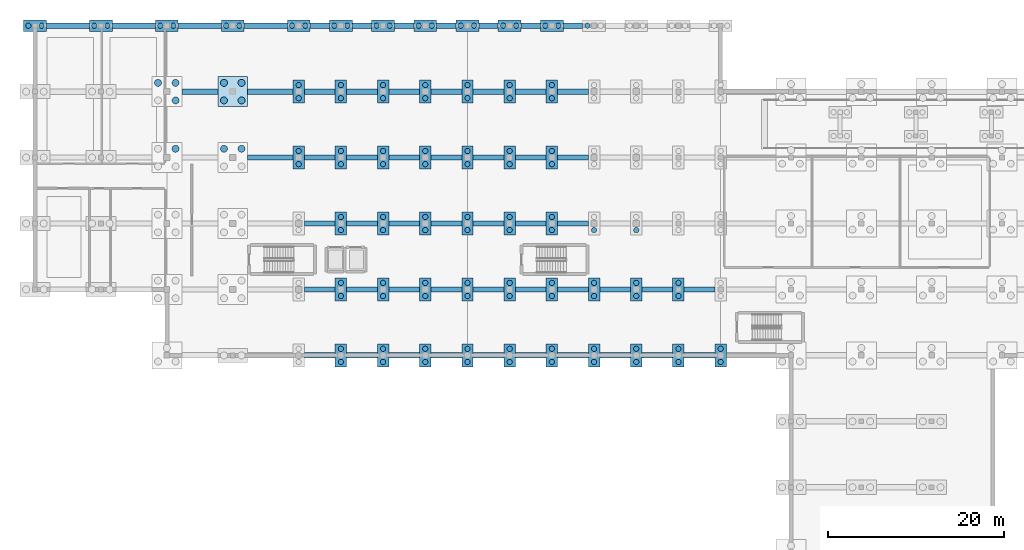
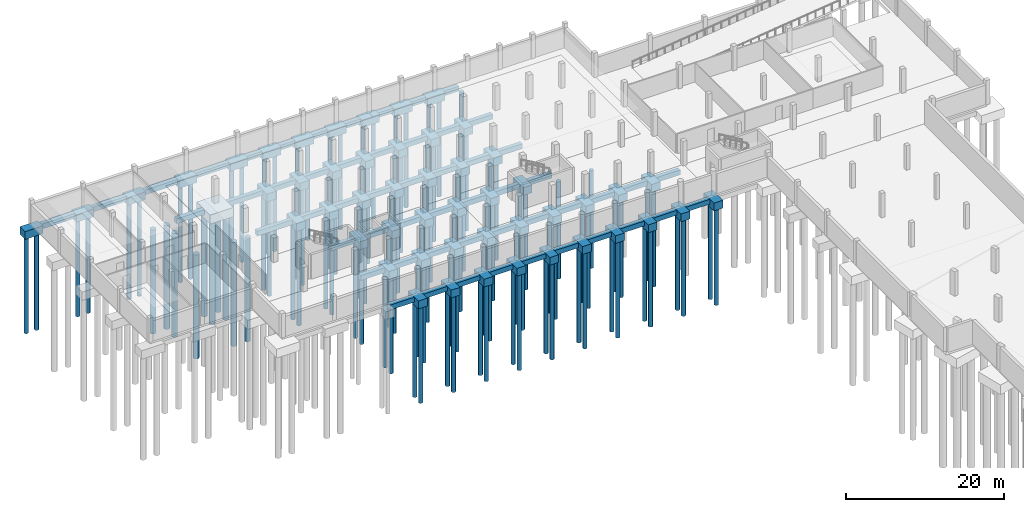
# One storey, part 2 of 17: 113 piles, 106 footings.
"""IFC4 building model written with IfcOpenShell, lengths in metres."""

from ifc_helpers import new_model, si_unit, direction, frame, origin, origin_2d, place, context, subcontext, project, spatial, rectangle, circle, extrude, material, material_profile, profile_set, type_object, element, save


model = new_model("IFC4")

# Units and contexts
model_context = context("Model", 3, precision=1e-05, world=origin(), true_north=direction((0.0, 1.0)))
body_context = subcontext(model_context, "Body", "Model", "MODEL_VIEW")
ifc_project = project(units=[si_unit("LENGTHUNIT", "METRE"), si_unit("AREAUNIT", "SQUARE_METRE"), si_unit("VOLUMEUNIT", "CUBIC_METRE"), si_unit("PLANEANGLEUNIT", "RADIAN"), si_unit("MASSUNIT", "GRAM", prefix="KILO")], contexts=[model_context])

# Site, building, storey
site_placement = place(None, origin())
site = spatial("IfcSite", under=ifc_project, at=site_placement, CompositionType="ELEMENT")
building_placement = place(site_placement, origin())
building = spatial("IfcBuilding", under=site, at=building_placement, Name="Mawjan Specialist Oncology Clinic", CompositionType="ELEMENT")
storey_placement = place(building_placement, frame((0.0, 0.0, -4.199951171875)))
storey = spatial("IfcBuildingStorey", under=building, at=storey_placement, Name="B01", CompositionType="ELEMENT", Elevation=-4.199951171875)

# Footings
ifc_material_1 = material(Name="Concrete C40/50", Category="concrete")
footing_type_1 = type_object("IfcFootingType", Name="PC-2A", PredefinedType="PILE_CAP", material=ifc_material_1)
for number, where, z_axis, x_axis, name in (
    (1, (30.0, 113.300048828125, -1.64990234375), (0.0, 0.0, 1.0), (1.0, 0.0, 0.0), "Pile Cap FTG-PC-058"),
    (2, (37.5, 113.300048828125, -1.64990234375), (0.0, 0.0, 1.0), (1.0, 0.0, 0.0), "Pile Cap FTG-PC-074"),
    (3, (45.0, 113.300048828125, -1.64990234375), (0.0, 0.0, 1.0), (1.0, 0.0, 0.0), "Pile Cap FTG-PC-090"),
    (4, (52.5, 113.300048828125, -1.64990234375), (0.0, 0.0, 1.0), (1.0, 0.0, 0.0), "Pile Cap FTG-PC-103"),
    (5, (60.0, 98.300048828125, -1.64990234375), (0.0, 0.0, 1.0), (0.0, 1.0, 0.0), "Pile Cap FTG-PC-116"),
    (6, (60.0, 105.800048828125, -1.64990234375), (0.0, 0.0, 1.0), (0.0, 1.0, 0.0), "Pile Cap FTG-PC-117"),
    (7, (60.0, 113.300048828125, -1.64990234375), (0.0, 0.0, 1.0), (1.0, 0.0, 0.0), "Pile Cap FTG-PC-118"),
    (8, (64.800048828125, 75.800048828125, -1.64990234375), (0.0, 0.0, 1.0), (0.0, 1.0, 0.0), "Pile Cap FTG-PC-123"),
    (9, (64.800048828125, 83.300048828125, -1.64990234375), (0.0, 0.0, 1.0), (0.0, 1.0, 0.0), "Pile Cap FTG-PC-124"),
    (10, (64.800048828125, 90.800048828125, -1.64990234375), (0.0, 0.0, 1.0), (0.0, 1.0, 0.0), "Pile Cap FTG-PC-125"),
    (11, (64.800048828125, 98.300048828125, -1.64990234375), (0.0, 0.0, 1.0), (0.0, 1.0, 0.0), "Pile Cap FTG-PC-126"),
    (12, (64.800048828125, 105.800048828125, -1.64990234375), (0.0, 0.0, 1.0), (0.0, 1.0, 0.0), "Pile Cap FTG-PC-127"),
    (13, (64.800048828125, 113.300048828125, -1.64990234375), (0.0, 0.0, 1.0), (1.0, 0.0, 0.0), "Pile Cap FTG-PC-128"),
    (14, (69.60009765625, 75.800048828125, -1.64990234375), (0.0, 0.0, 1.0), (0.0, 1.0, 0.0), "Pile Cap FTG-PC-133"),
    (15, (69.60009765625, 83.300048828125, -1.64990234375), (0.0, 0.0, 1.0), (0.0, 1.0, 0.0), "Pile Cap FTG-PC-134"),
    (16, (69.60009765625, 90.800048828125, -1.64990234375), (0.0, 0.0, 1.0), (0.0, 1.0, 0.0), "Pile Cap FTG-PC-135"),
    (17, (69.60009765625, 98.300048828125, -1.64990234375), (0.0, 0.0, 1.0), (0.0, 1.0, 0.0), "Pile Cap FTG-PC-136"),
    (18, (69.60009765625, 105.800048828125, -1.64990234375), (0.0, 0.0, 1.0), (0.0, 1.0, 0.0), "Pile Cap FTG-PC-137"),
    (19, (69.60009765625, 113.300048828125, -1.64990234375), (0.0, 0.0, 1.0), (1.0, 0.0, 0.0), "Pile Cap FTG-PC-138"),
    (20, (74.39990234375, 75.800048828125, -1.64990234375), (0.0, 0.0, 1.0), (0.0, 1.0, 0.0), "Pile Cap FTG-PC-142"),
    (21, (74.39990234375, 83.300048828125, -1.64990234375), (0.0, 0.0, 1.0), (0.0, 1.0, 0.0), "Pile Cap FTG-PC-143"),
    (22, (74.39990234375, 90.800048828125, -1.64990234375), (0.0, 0.0, 1.0), (0.0, 1.0, 0.0), "Pile Cap FTG-PC-144"),
    (23, (74.39990234375, 98.300048828125, -1.64990234375), (0.0, 0.0, 1.0), (0.0, 1.0, 0.0), "Pile Cap FTG-PC-145"),
    (24, (74.39990234375, 105.800048828125, -1.64990234375), (0.0, 0.0, 1.0), (0.0, 1.0, 0.0), "Pile Cap FTG-PC-146"),
    (25, (74.39990234375, 113.300048828125, -1.64990234375), (0.0, 0.0, 1.0), (1.0, 0.0, 0.0), "Pile Cap FTG-PC-147"),
    (26, (79.199951171875, 75.800048828125, -1.64990234375), (0.0, 0.0, 1.0), (0.0, 1.0, 0.0), "Pile Cap FTG-PC-151"),
    (27, (79.199951171875, 83.300048828125, -1.64990234375), (0.0, 0.0, 1.0), (0.0, 1.0, 0.0), "Pile Cap FTG-PC-152"),
    (28, (79.199951171875, 90.800048828125, -1.64990234375), (0.0, 0.0, 1.0), (0.0, 1.0, 0.0), "Pile Cap FTG-PC-153"),
    (29, (79.199951171875, 98.300048828125, -1.64990234375), (0.0, 0.0, 1.0), (0.0, 1.0, 0.0), "Pile Cap FTG-PC-154"),
    (30, (79.199951171875, 105.800048828125, -1.64990234375), (0.0, 0.0, 1.0), (0.0, 1.0, 0.0), "Pile Cap FTG-PC-155"),
    (31, (79.199951171875, 113.300048828125, -1.64990234375), (0.0, 0.0, 1.0), (1.0, 0.0, 0.0), "Pile Cap FTG-PC-156"),
    (32, (84.0, 75.800048828125, -1.64990234375), (0.0, 0.0, 1.0), (0.0, 1.0, 0.0), "Pile Cap FTG-PC-160"),
    (33, (84.0, 83.300048828125, -1.64990234375), (0.0, 0.0, 1.0), (0.0, 1.0, 0.0), "Pile Cap FTG-PC-161"),
    (34, (84.0, 90.800048828125, -1.64990234375), (0.0, 0.0, 1.0), (0.0, 1.0, 0.0), "Pile Cap FTG-PC-162"),
    (35, (84.0, 98.300048828125, -1.64990234375), (0.0, 0.0, 1.0), (0.0, 1.0, 0.0), "Pile Cap FTG-PC-163"),
    (36, (84.0, 105.800048828125, -1.64990234375), (0.0, 0.0, 1.0), (0.0, 1.0, 0.0), "Pile Cap FTG-PC-164"),
    (37, (84.0, 113.300048828125, -1.64990234375), (0.0, 0.0, 1.0), (1.0, 0.0, 0.0), "Pile Cap FTG-PC-165"),
    (38, (88.800048828125, 75.800048828125, -1.64990234375), (0.0, 0.0, 1.0), (0.0, 1.0, 0.0), "Pile Cap FTG-PC-170"),
    (39, (88.800048828125, 83.300048828125, -1.64990234375), (0.0, 0.0, 1.0), (0.0, 1.0, 0.0), "Pile Cap FTG-PC-171"),
    (40, (88.800048828125, 90.800048828125, -1.64990234375), (0.0, 0.0, 1.0), (0.0, 1.0, 0.0), "Pile Cap FTG-PC-172"),
    (41, (88.800048828125, 98.300048828125, -1.64990234375), (0.0, 0.0, 1.0), (0.0, 1.0, 0.0), "Pile Cap FTG-PC-173"),
    (42, (88.800048828125, 105.800048828125, -1.64990234375), (0.0, 0.0, 1.0), (0.0, 1.0, 0.0), "Pile Cap FTG-PC-174"),
    (43, (88.800048828125, 113.300048828125, -1.64990234375), (0.0, 0.0, 1.0), (1.0, 0.0, 0.0), "Pile Cap FTG-PC-175"),
    (44, (93.60009765625, 75.800048828125, -1.64990234375), (0.0, 0.0, 1.0), (0.0, 1.0, 0.0), "Pile Cap FTG-PC-180"),
    (45, (93.60009765625, 83.300048828125, -1.64990234375), (0.0, 0.0, 1.0), (0.0, 1.0, 0.0), "Pile Cap FTG-PC-181"),
    (46, (98.39990234375, 75.800048828125, -1.64990234375), (0.0, 0.0, 1.0), (0.0, 1.0, 0.0), "Pile Cap FTG-PC-190"),
    (47, (98.39990234375, 83.300048828125, -1.64990234375), (0.0, 0.0, 1.0), (0.0, 1.0, 0.0), "Pile Cap FTG-PC-191"),
    (48, (103.199951171875, 75.800048828125, -1.64990234375), (0.0, 0.0, 1.0), (0.0, 1.0, 0.0), "Pile Cap FTG-PC-200"),
    (49, (103.199951171875, 83.300048828125, -1.64990234375), (0.0, 0.0, 1.0), (0.0, 1.0, 0.0), "Pile Cap FTG-PC-201"),
    (50, (108.0, 75.800048828125, -1.64990234375), (0.0, 0.0, 1.0), (0.0, 1.0, 0.0), "Pile Cap FTG-PC-210"),
):
    element("IfcFooting", number, at=place(storey_placement, frame(where, z_axis=z_axis, x_axis=x_axis)), inside=storey, type_object=footing_type_1, Name=name, PredefinedType="PILE_CAP", context=body_context, shape_type="SweptSolid", body=[
        extrude(rectangle(XDim=2.60009765625, YDim=1.300048828125, at=origin_2d()), origin(), (0.0, 0.0, 1.0), 1.199951171875),
    ])
ifc_material_2 = material(Name="Concrete C40/50", Category="concrete")
footing_type_2 = type_object("IfcFootingType", Name="PC-4A", PredefinedType="PILE_CAP", material=ifc_material_2)
footing_1_placement = place(storey_placement, frame((52.5, 105.800048828125, -1.85009765625), z_axis=(0.0, 0.0, 1.0), x_axis=(1.0, 0.0, 0.0)))
element("IfcFooting", 51, at=footing_1_placement, inside=storey, type_object=footing_type_2, Name="Pile Cap FTG-PC-102", PredefinedType="PILE_CAP", context=body_context, shape_type="SweptSolid", body=[
    extrude(rectangle(XDim=3.39990234375, YDim=3.39990234375, at=origin_2d()), origin(), (0.0, 0.0, 1.0), 1.39990234375),
])

# Piles
ifc_material_3 = material(Name="Concrete C40/50", Category="concrete")
ifc_material_profile_1 = material_profile(ifc_material_3, circle(Radius=0.300048828125, at=origin_2d()), Name="BORED PILE D600", Category="concrete")
ifc_profile_set_1 = profile_set([ifc_material_profile_1], Name="Concrete C40/50")
pile_type_1 = type_object("IfcPileType", Name="PILE-600", PredefinedType="BORED", material=ifc_profile_set_1)
for number, where, z_axis, x_axis, name in (
    (52, (29.25, 113.300048828125, -1.550048828125), (0.0, 0.0, -1.0), (1.0, 0.0, 0.0), "Bored Pile PIL-0172"),
    (53, (30.75, 113.300048828125, -1.550048828125), (0.0, 0.0, -1.0), (1.0, 0.0, 0.0), "Bored Pile PIL-0173"),
    (54, (36.75, 113.300048828125, -1.550048828125), (0.0, 0.0, -1.0), (1.0, 0.0, 0.0), "Bored Pile PIL-0218"),
    (55, (38.25, 113.300048828125, -1.550048828125), (0.0, 0.0, -1.0), (1.0, 0.0, 0.0), "Bored Pile PIL-0219"),
    (56, (44.25, 113.300048828125, -1.550048828125), (0.0, 0.0, -1.0), (1.0, 0.0, 0.0), "Bored Pile PIL-0269"),
    (57, (45.75, 113.300048828125, -1.550048828125), (0.0, 0.0, -1.0), (1.0, 0.0, 0.0), "Bored Pile PIL-0270"),
    (58, (51.75, 113.300048828125, -1.550048828125), (0.0, 0.0, -1.0), (1.0, 0.0, 0.0), "Bored Pile PIL-0303"),
    (59, (53.25, 113.300048828125, -1.550048828125), (0.0, 0.0, -1.0), (1.0, 0.0, 0.0), "Bored Pile PIL-0304"),
    (60, (60.0, 97.550048828125, -1.550048828125), (0.0, 0.0, -1.0), (1.0, 0.0, 0.0), "Bored Pile PIL-0329"),
    (61, (60.0, 99.050048828125, -1.550048828125), (0.0, 0.0, -1.0), (1.0, 0.0, 0.0), "Bored Pile PIL-0330"),
    (62, (60.0, 105.050048828125, -1.550048828125), (0.0, 0.0, -1.0), (1.0, 0.0, 0.0), "Bored Pile PIL-0331"),
    (63, (60.0, 106.550048828125, -1.550048828125), (0.0, 0.0, -1.0), (1.0, 0.0, 0.0), "Bored Pile PIL-0332"),
    (64, (59.25, 113.300048828125, -1.550048828125), (0.0, 0.0, -1.0), (1.0, 0.0, 0.0), "Bored Pile PIL-0333"),
    (65, (60.75, 113.300048828125, -1.550048828125), (0.0, 0.0, -1.0), (1.0, 0.0, 0.0), "Bored Pile PIL-0334"),
    (66, (64.800048828125, 75.050048828125, -1.550048828125), (0.0, 0.0, -1.0), (1.0, 0.0, 0.0), "Bored Pile PIL-0343"),
    (67, (64.800048828125, 76.550048828125, -1.550048828125), (0.0, 0.0, -1.0), (1.0, 0.0, 0.0), "Bored Pile PIL-0344"),
    (68, (64.800048828125, 82.550048828125, -1.550048828125), (0.0, 0.0, -1.0), (1.0, 0.0, 0.0), "Bored Pile PIL-0345"),
    (69, (64.800048828125, 84.050048828125, -1.550048828125), (0.0, 0.0, -1.0), (1.0, 0.0, 0.0), "Bored Pile PIL-0346"),
    (70, (64.800048828125, 90.050048828125, -1.550048828125), (0.0, 0.0, -1.0), (1.0, 0.0, 0.0), "Bored Pile PIL-0347"),
    (71, (64.800048828125, 91.550048828125, -1.550048828125), (0.0, 0.0, -1.0), (1.0, 0.0, 0.0), "Bored Pile PIL-0348"),
    (72, (64.800048828125, 97.550048828125, -1.550048828125), (0.0, 0.0, -1.0), (1.0, 0.0, 0.0), "Bored Pile PIL-0349"),
    (73, (64.800048828125, 99.050048828125, -1.550048828125), (0.0, 0.0, -1.0), (1.0, 0.0, 0.0), "Bored Pile PIL-0350"),
    (74, (64.800048828125, 105.050048828125, -1.550048828125), (0.0, 0.0, -1.0), (1.0, 0.0, 0.0), "Bored Pile PIL-0351"),
    (75, (64.800048828125, 106.550048828125, -1.550048828125), (0.0, 0.0, -1.0), (1.0, 0.0, 0.0), "Bored Pile PIL-0352"),
    (76, (64.050048828125, 113.300048828125, -1.550048828125), (0.0, 0.0, -1.0), (1.0, 0.0, 0.0), "Bored Pile PIL-0353"),
    (77, (65.550048828125, 113.300048828125, -1.550048828125), (0.0, 0.0, -1.0), (1.0, 0.0, 0.0), "Bored Pile PIL-0354"),
    (78, (69.60009765625, 75.050048828125, -1.550048828125), (0.0, 0.0, -1.0), (1.0, 0.0, 0.0), "Bored Pile PIL-0363"),
    (79, (69.60009765625, 76.550048828125, -1.550048828125), (0.0, 0.0, -1.0), (1.0, 0.0, 0.0), "Bored Pile PIL-0364"),
    (80, (69.60009765625, 82.550048828125, -1.550048828125), (0.0, 0.0, -1.0), (1.0, 0.0, 0.0), "Bored Pile PIL-0365"),
    (81, (69.60009765625, 84.050048828125, -1.550048828125), (0.0, 0.0, -1.0), (1.0, 0.0, 0.0), "Bored Pile PIL-0366"),
    (82, (69.60009765625, 90.050048828125, -1.550048828125), (0.0, 0.0, -1.0), (1.0, 0.0, 0.0), "Bored Pile PIL-0367"),
    (83, (69.60009765625, 91.550048828125, -1.550048828125), (0.0, 0.0, -1.0), (1.0, 0.0, 0.0), "Bored Pile PIL-0368"),
    (84, (69.60009765625, 97.550048828125, -1.550048828125), (0.0, 0.0, -1.0), (1.0, 0.0, 0.0), "Bored Pile PIL-0369"),
    (85, (69.60009765625, 99.050048828125, -1.550048828125), (0.0, 0.0, -1.0), (1.0, 0.0, 0.0), "Bored Pile PIL-0370"),
    (86, (69.60009765625, 105.050048828125, -1.550048828125), (0.0, 0.0, -1.0), (1.0, 0.0, 0.0), "Bored Pile PIL-0371"),
    (87, (69.60009765625, 106.550048828125, -1.550048828125), (0.0, 0.0, -1.0), (1.0, 0.0, 0.0), "Bored Pile PIL-0372"),
    (88, (68.85009765625, 113.300048828125, -1.550048828125), (0.0, 0.0, -1.0), (1.0, 0.0, 0.0), "Bored Pile PIL-0373"),
    (89, (70.35009765625, 113.300048828125, -1.550048828125), (0.0, 0.0, -1.0), (1.0, 0.0, 0.0), "Bored Pile PIL-0374"),
    (90, (74.39990234375, 75.050048828125, -1.550048828125), (0.0, 0.0, -1.0), (1.0, 0.0, 0.0), "Bored Pile PIL-0381"),
    (91, (74.39990234375, 76.550048828125, -1.550048828125), (0.0, 0.0, -1.0), (1.0, 0.0, 0.0), "Bored Pile PIL-0382"),
    (92, (74.39990234375, 82.550048828125, -1.550048828125), (0.0, 0.0, -1.0), (1.0, 0.0, 0.0), "Bored Pile PIL-0383"),
    (93, (74.39990234375, 84.050048828125, -1.550048828125), (0.0, 0.0, -1.0), (1.0, 0.0, 0.0), "Bored Pile PIL-0384"),
    (94, (74.39990234375, 90.050048828125, -1.550048828125), (0.0, 0.0, -1.0), (1.0, 0.0, 0.0), "Bored Pile PIL-0385"),
    (95, (74.39990234375, 91.550048828125, -1.550048828125), (0.0, 0.0, -1.0), (1.0, 0.0, 0.0), "Bored Pile PIL-0386"),
    (96, (74.39990234375, 97.550048828125, -1.550048828125), (0.0, 0.0, -1.0), (1.0, 0.0, 0.0), "Bored Pile PIL-0387"),
    (97, (74.39990234375, 99.050048828125, -1.550048828125), (0.0, 0.0, -1.0), (1.0, 0.0, 0.0), "Bored Pile PIL-0388"),
    (98, (74.39990234375, 105.050048828125, -1.550048828125), (0.0, 0.0, -1.0), (1.0, 0.0, 0.0), "Bored Pile PIL-0389"),
    (99, (74.39990234375, 106.550048828125, -1.550048828125), (0.0, 0.0, -1.0), (1.0, 0.0, 0.0), "Bored Pile PIL-0390"),
    (100, (73.64990234375, 113.300048828125, -1.550048828125), (0.0, 0.0, -1.0), (1.0, 0.0, 0.0), "Bored Pile PIL-0391"),
    (101, (75.14990234375, 113.300048828125, -1.550048828125), (0.0, 0.0, -1.0), (1.0, 0.0, 0.0), "Bored Pile PIL-0392"),
    (102, (79.199951171875, 75.050048828125, -1.550048828125), (0.0, 0.0, -1.0), (1.0, 0.0, 0.0), "Bored Pile PIL-0399"),
    (103, (79.199951171875, 76.550048828125, -1.550048828125), (0.0, 0.0, -1.0), (1.0, 0.0, 0.0), "Bored Pile PIL-0400"),
    (104, (79.199951171875, 82.550048828125, -1.550048828125), (0.0, 0.0, -1.0), (1.0, 0.0, 0.0), "Bored Pile PIL-0401"),
    (105, (79.199951171875, 84.050048828125, -1.550048828125), (0.0, 0.0, -1.0), (1.0, 0.0, 0.0), "Bored Pile PIL-0402"),
    (106, (79.199951171875, 90.050048828125, -1.550048828125), (0.0, 0.0, -1.0), (1.0, 0.0, 0.0), "Bored Pile PIL-0403"),
    (107, (79.199951171875, 91.550048828125, -1.550048828125), (0.0, 0.0, -1.0), (1.0, 0.0, 0.0), "Bored Pile PIL-0404"),
    (108, (79.199951171875, 97.550048828125, -1.550048828125), (0.0, 0.0, -1.0), (1.0, 0.0, 0.0), "Bored Pile PIL-0405"),
    (109, (79.199951171875, 99.050048828125, -1.550048828125), (0.0, 0.0, -1.0), (1.0, 0.0, 0.0), "Bored Pile PIL-0406"),
    (110, (79.199951171875, 105.050048828125, -1.550048828125), (0.0, 0.0, -1.0), (1.0, 0.0, 0.0), "Bored Pile PIL-0407"),
    (111, (79.199951171875, 106.550048828125, -1.550048828125), (0.0, 0.0, -1.0), (1.0, 0.0, 0.0), "Bored Pile PIL-0408"),
    (112, (78.449951171875, 113.300048828125, -1.550048828125), (0.0, 0.0, -1.0), (1.0, 0.0, 0.0), "Bored Pile PIL-0409"),
    (113, (79.949951171875, 113.300048828125, -1.550048828125), (0.0, 0.0, -1.0), (1.0, 0.0, 0.0), "Bored Pile PIL-0410"),
    (114, (84.0, 75.050048828125, -1.550048828125), (0.0, 0.0, -1.0), (1.0, 0.0, 0.0), "Bored Pile PIL-0417"),
    (115, (84.0, 76.550048828125, -1.550048828125), (0.0, 0.0, -1.0), (1.0, 0.0, 0.0), "Bored Pile PIL-0418"),
    (116, (84.0, 82.550048828125, -1.550048828125), (0.0, 0.0, -1.0), (1.0, 0.0, 0.0), "Bored Pile PIL-0419"),
    (117, (84.0, 84.050048828125, -1.550048828125), (0.0, 0.0, -1.0), (1.0, 0.0, 0.0), "Bored Pile PIL-0420"),
    (118, (84.0, 90.050048828125, -1.550048828125), (0.0, 0.0, -1.0), (1.0, 0.0, 0.0), "Bored Pile PIL-0421"),
    (119, (84.0, 91.550048828125, -1.550048828125), (0.0, 0.0, -1.0), (1.0, 0.0, 0.0), "Bored Pile PIL-0422"),
    (120, (84.0, 97.550048828125, -1.550048828125), (0.0, 0.0, -1.0), (1.0, 0.0, 0.0), "Bored Pile PIL-0423"),
    (121, (84.0, 99.050048828125, -1.550048828125), (0.0, 0.0, -1.0), (1.0, 0.0, 0.0), "Bored Pile PIL-0424"),
    (122, (84.0, 105.050048828125, -1.550048828125), (0.0, 0.0, -1.0), (1.0, 0.0, 0.0), "Bored Pile PIL-0425"),
    (123, (84.0, 106.550048828125, -1.550048828125), (0.0, 0.0, -1.0), (1.0, 0.0, 0.0), "Bored Pile PIL-0426"),
    (124, (83.25, 113.300048828125, -1.550048828125), (0.0, 0.0, -1.0), (1.0, 0.0, 0.0), "Bored Pile PIL-0427"),
    (125, (84.75, 113.300048828125, -1.550048828125), (0.0, 0.0, -1.0), (1.0, 0.0, 0.0), "Bored Pile PIL-0428"),
    (126, (88.800048828125, 75.050048828125, -1.550048828125), (0.0, 0.0, -1.0), (1.0, 0.0, 0.0), "Bored Pile PIL-0437"),
    (127, (88.800048828125, 76.550048828125, -1.550048828125), (0.0, 0.0, -1.0), (1.0, 0.0, 0.0), "Bored Pile PIL-0438"),
    (128, (88.800048828125, 82.550048828125, -1.550048828125), (0.0, 0.0, -1.0), (1.0, 0.0, 0.0), "Bored Pile PIL-0439"),
    (129, (88.800048828125, 84.050048828125, -1.550048828125), (0.0, 0.0, -1.0), (1.0, 0.0, 0.0), "Bored Pile PIL-0440"),
    (130, (88.800048828125, 90.050048828125, -1.550048828125), (0.0, 0.0, -1.0), (1.0, 0.0, 0.0), "Bored Pile PIL-0441"),
    (131, (88.800048828125, 91.550048828125, -1.550048828125), (0.0, 0.0, -1.0), (1.0, 0.0, 0.0), "Bored Pile PIL-0442"),
    (132, (88.800048828125, 97.550048828125, -1.550048828125), (0.0, 0.0, -1.0), (1.0, 0.0, 0.0), "Bored Pile PIL-0443"),
    (133, (88.800048828125, 99.050048828125, -1.550048828125), (0.0, 0.0, -1.0), (1.0, 0.0, 0.0), "Bored Pile PIL-0444"),
    (134, (88.800048828125, 105.050048828125, -1.550048828125), (0.0, 0.0, -1.0), (1.0, 0.0, 0.0), "Bored Pile PIL-0445"),
    (135, (88.800048828125, 106.550048828125, -1.550048828125), (0.0, 0.0, -1.0), (1.0, 0.0, 0.0), "Bored Pile PIL-0446"),
    (136, (88.050048828125, 113.300048828125, -1.550048828125), (0.0, 0.0, -1.0), (1.0, 0.0, 0.0), "Bored Pile PIL-0447"),
    (137, (89.550048828125, 113.300048828125, -1.550048828125), (0.0, 0.0, -1.0), (1.0, 0.0, 0.0), "Bored Pile PIL-0448"),
    (138, (93.60009765625, 75.050048828125, -1.550048828125), (0.0, 0.0, -1.0), (1.0, 0.0, 0.0), "Bored Pile PIL-0457"),
    (139, (93.60009765625, 76.550048828125, -1.550048828125), (0.0, 0.0, -1.0), (1.0, 0.0, 0.0), "Bored Pile PIL-0458"),
    (140, (93.60009765625, 82.550048828125, -1.550048828125), (0.0, 0.0, -1.0), (1.0, 0.0, 0.0), "Bored Pile PIL-0459"),
    (141, (93.60009765625, 84.050048828125, -1.550048828125), (0.0, 0.0, -1.0), (1.0, 0.0, 0.0), "Bored Pile PIL-0460"),
    (142, (93.60009765625, 90.050048828125, -1.550048828125), (0.0, 0.0, -1.0), (1.0, 0.0, 0.0), "Bored Pile PIL-0461"),
    (143, (92.85009765625, 113.300048828125, -1.550048828125), (0.0, 0.0, -1.0), (1.0, 0.0, 0.0), "Bored Pile PIL-0467"),
    (144, (98.39990234375, 75.050048828125, -1.550048828125), (0.0, 0.0, -1.0), (1.0, 0.0, 0.0), "Bored Pile PIL-0477"),
    (145, (98.39990234375, 76.550048828125, -1.550048828125), (0.0, 0.0, -1.0), (1.0, 0.0, 0.0), "Bored Pile PIL-0478"),
    (146, (98.39990234375, 82.550048828125, -1.550048828125), (0.0, 0.0, -1.0), (1.0, 0.0, 0.0), "Bored Pile PIL-0479"),
    (147, (98.39990234375, 84.050048828125, -1.550048828125), (0.0, 0.0, -1.0), (1.0, 0.0, 0.0), "Bored Pile PIL-0480"),
    (148, (98.39990234375, 90.050048828125, -1.550048828125), (0.0, 0.0, -1.0), (1.0, 0.0, 0.0), "Bored Pile PIL-0481"),
    (149, (103.199951171875, 75.050048828125, -1.550048828125), (0.0, 0.0, -1.0), (1.0, 0.0, 0.0), "Bored Pile PIL-0497"),
    (150, (103.199951171875, 76.550048828125, -1.550048828125), (0.0, 0.0, -1.0), (1.0, 0.0, 0.0), "Bored Pile PIL-0498"),
    (151, (103.199951171875, 82.550048828125, -1.550048828125), (0.0, 0.0, -1.0), (1.0, 0.0, 0.0), "Bored Pile PIL-0499"),
    (152, (103.199951171875, 84.050048828125, -1.550048828125), (0.0, 0.0, -1.0), (1.0, 0.0, 0.0), "Bored Pile PIL-0500"),
    (153, (108.0, 75.050048828125, -1.550048828125), (0.0, 0.0, -1.0), (1.0, 0.0, 0.0), "Bored Pile PIL-0517"),
    (154, (108.0, 76.550048828125, -1.550048828125), (0.0, 0.0, -1.0), (1.0, 0.0, 0.0), "Bored Pile PIL-0518"),
):
    element("IfcPile", number, at=place(storey_placement, frame(where, z_axis=z_axis, x_axis=x_axis)), inside=storey, type_object=pile_type_1, Name=name, PredefinedType="BORED", context=body_context, shape_type="SweptSolid", body=[
        extrude(circle(Radius=0.300048828125, at=origin_2d()), origin(), (0.0, 0.0, 1.0), 15.050048828125),
    ])
ifc_material_4 = material(Name="Concrete C40/50", Category="concrete")
ifc_material_profile_2 = material_profile(ifc_material_4, circle(Radius=0.39990234375, at=origin_2d()), Name="BORED PILE D800", Category="concrete")
ifc_profile_set_2 = profile_set([ifc_material_profile_2], Name="Concrete C40/50")
pile_type_2 = type_object("IfcPileType", Name="PILE-800", PredefinedType="BORED", material=ifc_profile_set_2)
for number, where, z_axis, x_axis, name in (
    (155, (46.0, 99.300048828125, -1.75), (0.0, 0.0, -1.0), (1.0, 0.0, 0.0), "Bored Pile PIL-0264"),
    (156, (46.0, 104.800048828125, -1.75), (0.0, 0.0, -1.0), (1.0, 0.0, 0.0), "Bored Pile PIL-0266"),
    (157, (44.0, 106.800048828125, -1.75), (0.0, 0.0, -1.0), (1.0, 0.0, 0.0), "Bored Pile PIL-0267"),
    (158, (46.0, 106.800048828125, -1.75), (0.0, 0.0, -1.0), (1.0, 0.0, 0.0), "Bored Pile PIL-0268"),
    (159, (51.5, 99.300048828125, -1.75), (0.0, 0.0, -1.0), (1.0, 0.0, 0.0), "Bored Pile PIL-0297"),
    (160, (53.5, 99.300048828125, -1.75), (0.0, 0.0, -1.0), (1.0, 0.0, 0.0), "Bored Pile PIL-0298"),
    (161, (51.5, 104.800048828125, -1.75), (0.0, 0.0, -1.0), (1.0, 0.0, 0.0), "Bored Pile PIL-0299"),
    (162, (53.5, 104.800048828125, -1.75), (0.0, 0.0, -1.0), (1.0, 0.0, 0.0), "Bored Pile PIL-0300"),
    (163, (51.5, 106.800048828125, -1.75), (0.0, 0.0, -1.0), (1.0, 0.0, 0.0), "Bored Pile PIL-0301"),
    (164, (53.5, 106.800048828125, -1.75), (0.0, 0.0, -1.0), (1.0, 0.0, 0.0), "Bored Pile PIL-0302"),
):
    element("IfcPile", number, at=place(storey_placement, frame(where, z_axis=z_axis, x_axis=x_axis)), inside=storey, type_object=pile_type_2, Name=name, PredefinedType="BORED", context=body_context, shape_type="SweptSolid", body=[
        extrude(circle(Radius=0.39990234375, at=origin_2d()), origin(), (0.0, 0.0, 1.0), 16.050048828125),
    ])

# Footings
ifc_material_5 = material(Name="Concrete C40/50", Category="concrete")
footing_type_3 = type_object("IfcFootingType", Name="SF-600", PredefinedType="STRIP_FOOTING", material=ifc_material_5)
for number, where, z_axis, x_axis, name in (
    (165, (62.39990234375, 75.800048828125, -1.199951171875), (0.0, 0.0, 1.0), (1.0, 0.0, 0.0), "Foundation Tie Strip FTG-SF-144"),
    (166, (67.199951171875, 75.800048828125, -1.199951171875), (0.0, 0.0, 1.0), (1.0, 0.0, 0.0), "Foundation Tie Strip FTG-SF-145"),
    (167, (72.0, 75.800048828125, -1.199951171875), (0.0, 0.0, 1.0), (1.0, 0.0, 0.0), "Foundation Tie Strip FTG-SF-146"),
    (168, (76.800048828125, 75.800048828125, -1.199951171875), (0.0, 0.0, 1.0), (1.0, 0.0, 0.0), "Foundation Tie Strip FTG-SF-147"),
    (169, (81.60009765625, 75.800048828125, -1.199951171875), (0.0, 0.0, 1.0), (1.0, 0.0, 0.0), "Foundation Tie Strip FTG-SF-148"),
    (170, (86.39990234375, 75.800048828125, -1.199951171875), (0.0, 0.0, 1.0), (1.0, 0.0, 0.0), "Foundation Tie Strip FTG-SF-149"),
    (171, (91.199951171875, 75.800048828125, -1.199951171875), (0.0, 0.0, 1.0), (1.0, 0.0, 0.0), "Foundation Tie Strip FTG-SF-150"),
    (172, (96.0, 75.800048828125, -1.199951171875), (0.0, 0.0, 1.0), (1.0, 0.0, 0.0), "Foundation Tie Strip FTG-SF-151"),
    (173, (100.800048828125, 75.800048828125, -1.199951171875), (0.0, 0.0, 1.0), (1.0, 0.0, 0.0), "Foundation Tie Strip FTG-SF-152"),
    (174, (105.60009765625, 75.800048828125, -1.199951171875), (0.0, 0.0, 1.0), (1.0, 0.0, 0.0), "Foundation Tie Strip FTG-SF-153"),
    (175, (62.39990234375, 83.300048828125, -1.199951171875), (0.0, 0.0, 1.0), (1.0, 0.0, 0.0), "Foundation Tie Strip FTG-SF-164"),
    (176, (67.199951171875, 83.300048828125, -1.199951171875), (0.0, 0.0, 1.0), (1.0, 0.0, 0.0), "Foundation Tie Strip FTG-SF-165"),
    (177, (72.0, 83.300048828125, -1.199951171875), (0.0, 0.0, 1.0), (1.0, 0.0, 0.0), "Foundation Tie Strip FTG-SF-166"),
    (178, (76.800048828125, 83.300048828125, -1.199951171875), (0.0, 0.0, 1.0), (1.0, 0.0, 0.0), "Foundation Tie Strip FTG-SF-167"),
    (179, (81.60009765625, 83.300048828125, -1.199951171875), (0.0, 0.0, 1.0), (1.0, 0.0, 0.0), "Foundation Tie Strip FTG-SF-168"),
    (180, (86.39990234375, 83.300048828125, -1.199951171875), (0.0, 0.0, 1.0), (1.0, 0.0, 0.0), "Foundation Tie Strip FTG-SF-169"),
    (181, (91.199951171875, 83.300048828125, -1.199951171875), (0.0, 0.0, 1.0), (1.0, 0.0, 0.0), "Foundation Tie Strip FTG-SF-170"),
    (182, (96.0, 83.300048828125, -1.199951171875), (0.0, 0.0, 1.0), (1.0, 0.0, 0.0), "Foundation Tie Strip FTG-SF-171"),
    (183, (100.800048828125, 83.300048828125, -1.199951171875), (0.0, 0.0, 1.0), (1.0, 0.0, 0.0), "Foundation Tie Strip FTG-SF-172"),
    (184, (105.60009765625, 83.300048828125, -1.199951171875), (0.0, 0.0, 1.0), (1.0, 0.0, 0.0), "Foundation Tie Strip FTG-SF-173"),
    (185, (62.39990234375, 90.800048828125, -1.199951171875), (0.0, 0.0, 1.0), (1.0, 0.0, 0.0), "Foundation Tie Strip FTG-SF-184"),
    (186, (67.199951171875, 90.800048828125, -1.199951171875), (0.0, 0.0, 1.0), (1.0, 0.0, 0.0), "Foundation Tie Strip FTG-SF-185"),
    (187, (72.0, 90.800048828125, -1.199951171875), (0.0, 0.0, 1.0), (1.0, 0.0, 0.0), "Foundation Tie Strip FTG-SF-186"),
    (188, (76.800048828125, 90.800048828125, -1.199951171875), (0.0, 0.0, 1.0), (1.0, 0.0, 0.0), "Foundation Tie Strip FTG-SF-187"),
    (189, (81.60009765625, 90.800048828125, -1.199951171875), (0.0, 0.0, 1.0), (1.0, 0.0, 0.0), "Foundation Tie Strip FTG-SF-188"),
    (190, (86.39990234375, 90.800048828125, -1.199951171875), (0.0, 0.0, 1.0), (1.0, 0.0, 0.0), "Foundation Tie Strip FTG-SF-189"),
    (191, (91.199951171875, 90.800048828125, -1.199951171875), (0.0, 0.0, 1.0), (1.0, 0.0, 0.0), "Foundation Tie Strip FTG-SF-190"),
):
    element("IfcFooting", number, at=place(storey_placement, frame(where, z_axis=z_axis, x_axis=x_axis)), inside=storey, type_object=footing_type_3, Name=name, PredefinedType="STRIP_FOOTING", context=body_context, shape_type="SweptSolid", body=[
        extrude(rectangle(XDim=3.5, YDim=0.60009765625, at=origin_2d()), origin(), (0.0, 0.0, 1.0), 0.75),
    ])
footing_2_placement = place(storey_placement, frame((56.77490234375, 98.300048828125, -1.199951171875), z_axis=(0.0, 0.0, 1.0), x_axis=(1.0, 0.0, 0.0)))
element("IfcFooting", 192, at=footing_2_placement, inside=storey, type_object=footing_type_3, Name="Foundation Tie Strip FTG-SF-203", PredefinedType="STRIP_FOOTING", context=body_context, shape_type="SweptSolid", body=[
    extrude(rectangle(XDim=5.14990234375, YDim=0.60009765625, at=origin_2d()), origin(), (0.0, 0.0, 1.0), 0.75),
])
for number, where, z_axis, x_axis, name in (
    (193, (62.39990234375, 98.300048828125, -1.199951171875), (0.0, 0.0, 1.0), (1.0, 0.0, 0.0), "Foundation Tie Strip FTG-SF-204"),
    (194, (67.199951171875, 98.300048828125, -1.199951171875), (0.0, 0.0, 1.0), (1.0, 0.0, 0.0), "Foundation Tie Strip FTG-SF-205"),
    (195, (72.0, 98.300048828125, -1.199951171875), (0.0, 0.0, 1.0), (1.0, 0.0, 0.0), "Foundation Tie Strip FTG-SF-206"),
    (196, (76.800048828125, 98.300048828125, -1.199951171875), (0.0, 0.0, 1.0), (1.0, 0.0, 0.0), "Foundation Tie Strip FTG-SF-207"),
    (197, (81.60009765625, 98.300048828125, -1.199951171875), (0.0, 0.0, 1.0), (1.0, 0.0, 0.0), "Foundation Tie Strip FTG-SF-208"),
    (198, (86.39990234375, 98.300048828125, -1.199951171875), (0.0, 0.0, 1.0), (1.0, 0.0, 0.0), "Foundation Tie Strip FTG-SF-209"),
    (199, (91.199951171875, 98.300048828125, -1.199951171875), (0.0, 0.0, 1.0), (1.0, 0.0, 0.0), "Foundation Tie Strip FTG-SF-210"),
):
    element("IfcFooting", number, at=place(storey_placement, frame(where, z_axis=z_axis, x_axis=x_axis)), inside=storey, type_object=footing_type_3, Name=name, PredefinedType="STRIP_FOOTING", context=body_context, shape_type="SweptSolid", body=[
        extrude(rectangle(XDim=3.5, YDim=0.60009765625, at=origin_2d()), origin(), (0.0, 0.0, 1.0), 0.75),
    ])
footing_3_placement = place(storey_placement, frame((48.75, 105.800048828125, -1.199951171875), z_axis=(0.0, 0.0, 1.0), x_axis=(1.0, 0.0, 0.0)))
element("IfcFooting", 200, at=footing_3_placement, inside=storey, type_object=footing_type_3, Name="Foundation Tie Strip FTG-SF-222", PredefinedType="STRIP_FOOTING", context=body_context, shape_type="SweptSolid", body=[
    extrude(rectangle(XDim=4.10009765625, YDim=0.60009765625, at=origin_2d()), origin(), (0.0, 0.0, 1.0), 0.75),
])
footing_4_placement = place(storey_placement, frame((56.77490234375, 105.800048828125, -1.199951171875), z_axis=(0.0, 0.0, 1.0), x_axis=(1.0, 0.0, 0.0)))
element("IfcFooting", 201, at=footing_4_placement, inside=storey, type_object=footing_type_3, Name="Foundation Tie Strip FTG-SF-223", PredefinedType="STRIP_FOOTING", context=body_context, shape_type="SweptSolid", body=[
    extrude(rectangle(XDim=5.14990234375, YDim=0.60009765625, at=origin_2d()), origin(), (0.0, 0.0, 1.0), 0.75),
])
for number, where, z_axis, x_axis, name in (
    (202, (62.39990234375, 105.800048828125, -1.199951171875), (0.0, 0.0, 1.0), (1.0, 0.0, 0.0), "Foundation Tie Strip FTG-SF-224"),
    (203, (67.199951171875, 105.800048828125, -1.199951171875), (0.0, 0.0, 1.0), (1.0, 0.0, 0.0), "Foundation Tie Strip FTG-SF-225"),
    (204, (72.0, 105.800048828125, -1.199951171875), (0.0, 0.0, 1.0), (1.0, 0.0, 0.0), "Foundation Tie Strip FTG-SF-226"),
    (205, (76.800048828125, 105.800048828125, -1.199951171875), (0.0, 0.0, 1.0), (1.0, 0.0, 0.0), "Foundation Tie Strip FTG-SF-227"),
    (206, (81.60009765625, 105.800048828125, -1.199951171875), (0.0, 0.0, 1.0), (1.0, 0.0, 0.0), "Foundation Tie Strip FTG-SF-228"),
    (207, (86.39990234375, 105.800048828125, -1.199951171875), (0.0, 0.0, 1.0), (1.0, 0.0, 0.0), "Foundation Tie Strip FTG-SF-229"),
    (208, (91.199951171875, 105.800048828125, -1.199951171875), (0.0, 0.0, 1.0), (1.0, 0.0, 0.0), "Foundation Tie Strip FTG-SF-230"),
):
    element("IfcFooting", number, at=place(storey_placement, frame(where, z_axis=z_axis, x_axis=x_axis)), inside=storey, type_object=footing_type_3, Name=name, PredefinedType="STRIP_FOOTING", context=body_context, shape_type="SweptSolid", body=[
        extrude(rectangle(XDim=3.5, YDim=0.60009765625, at=origin_2d()), origin(), (0.0, 0.0, 1.0), 0.75),
    ])
for number, where, z_axis, x_axis, name in (
    (209, (33.75, 113.300048828125, -1.199951171875), (0.0, 0.0, 1.0), (1.0, 0.0, 0.0), "Foundation Tie Strip FTG-SF-239"),
    (210, (41.25, 113.300048828125, -1.199951171875), (0.0, 0.0, 1.0), (1.0, 0.0, 0.0), "Foundation Tie Strip FTG-SF-240"),
    (211, (48.75, 113.300048828125, -1.199951171875), (0.0, 0.0, 1.0), (1.0, 0.0, 0.0), "Foundation Tie Strip FTG-SF-241"),
    (212, (56.25, 113.300048828125, -1.199951171875), (0.0, 0.0, 1.0), (1.0, 0.0, 0.0), "Foundation Tie Strip FTG-SF-242"),
):
    element("IfcFooting", number, at=place(storey_placement, frame(where, z_axis=z_axis, x_axis=x_axis)), inside=storey, type_object=footing_type_3, Name=name, PredefinedType="STRIP_FOOTING", context=body_context, shape_type="SweptSolid", body=[
        extrude(rectangle(XDim=4.89990234375, YDim=0.60009765625, at=origin_2d()), origin(), (0.0, 0.0, 1.0), 0.75),
    ])
for number, where, z_axis, x_axis, name in (
    (213, (62.39990234375, 113.300048828125, -1.199951171875), (0.0, 0.0, 1.0), (1.0, 0.0, 0.0), "Foundation Tie Strip FTG-SF-243"),
    (214, (67.199951171875, 113.300048828125, -1.199951171875), (0.0, 0.0, 1.0), (1.0, 0.0, 0.0), "Foundation Tie Strip FTG-SF-244"),
    (215, (72.0, 113.300048828125, -1.199951171875), (0.0, 0.0, 1.0), (1.0, 0.0, 0.0), "Foundation Tie Strip FTG-SF-245"),
    (216, (76.800048828125, 113.300048828125, -1.199951171875), (0.0, 0.0, 1.0), (1.0, 0.0, 0.0), "Foundation Tie Strip FTG-SF-246"),
    (217, (81.60009765625, 113.300048828125, -1.199951171875), (0.0, 0.0, 1.0), (1.0, 0.0, 0.0), "Foundation Tie Strip FTG-SF-247"),
    (218, (86.39990234375, 113.300048828125, -1.199951171875), (0.0, 0.0, 1.0), (1.0, 0.0, 0.0), "Foundation Tie Strip FTG-SF-248"),
    (219, (91.199951171875, 113.300048828125, -1.199951171875), (0.0, 0.0, 1.0), (1.0, 0.0, 0.0), "Foundation Tie Strip FTG-SF-249"),
):
    element("IfcFooting", number, at=place(storey_placement, frame(where, z_axis=z_axis, x_axis=x_axis)), inside=storey, type_object=footing_type_3, Name=name, PredefinedType="STRIP_FOOTING", context=body_context, shape_type="SweptSolid", body=[
        extrude(rectangle(XDim=2.199951171875, YDim=0.60009765625, at=origin_2d()), origin(), (0.0, 0.0, 1.0), 0.75),
    ])

save(model, "model.ifc")
